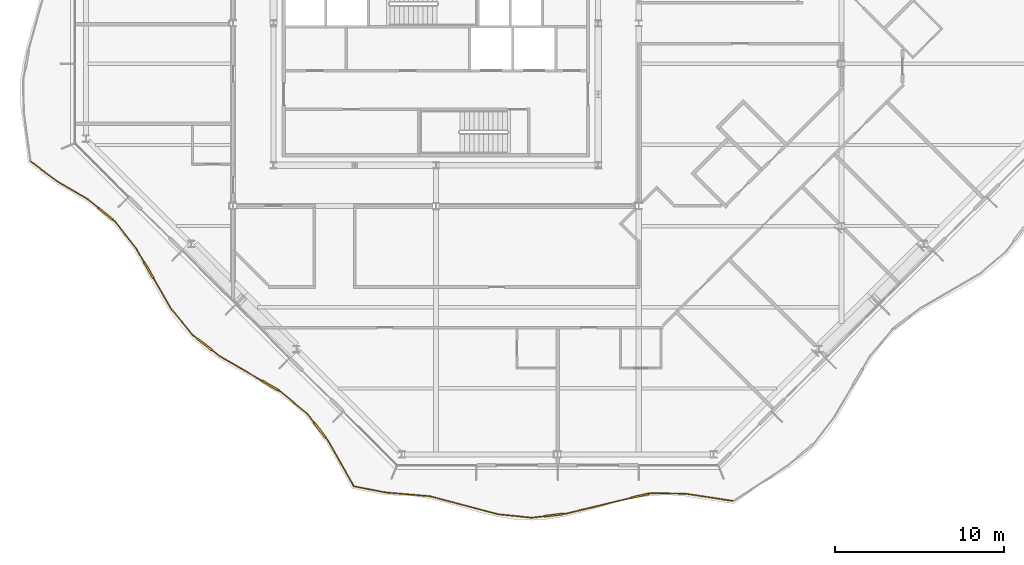
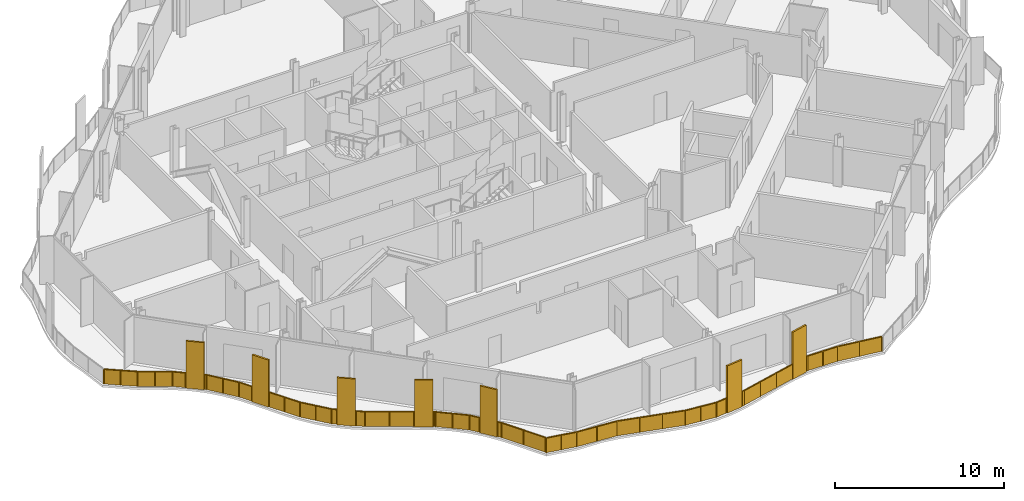
# One storey, part 13 of 17: 2 railings.
"""IFC4 building model written with IfcOpenShell, lengths in metres."""

from ifc_helpers import new_model, si_unit, direction, frame, origin, origin_2d, place, context, subcontext, project, spatial, polyline, rectangle, outline, extrude, material, type_object, element, save


model = new_model("IFC4")

# Units and contexts
model_context = context("Model", 3, precision=1e-05, world=origin(), true_north=direction((0.0, 1.0)))
body_context = subcontext(model_context, "Body", "Model", "MODEL_VIEW")
ifc_project = project(units=[si_unit("LENGTHUNIT", "METRE"), si_unit("AREAUNIT", "SQUARE_METRE"), si_unit("VOLUMEUNIT", "CUBIC_METRE"), si_unit("PLANEANGLEUNIT", "RADIAN"), si_unit("MASSUNIT", "GRAM", prefix="KILO")], contexts=[model_context])

# Site, building, storey
site_placement = place(None, origin())
site = spatial("IfcSite", under=ifc_project, at=site_placement, CompositionType="ELEMENT")
building_placement = place(site_placement, origin())
building = spatial("IfcBuilding", under=site, at=building_placement, Name="Cairn Pilgrim Tower", CompositionType="ELEMENT")
storey_placement = place(building_placement, frame((0.0, 0.0, 243.0)))
storey = spatial("IfcBuildingStorey", under=building, at=storey_placement, Name="L62", CompositionType="ELEMENT", Elevation=243.0)

# Railings
ifc_material = material(Name="Bronze anodised aluminium rail, posts and fin screens with laminated glass infill", Category="aluminium")
railing_type = type_object("IfcRailingType", Name="BALCONY GUARD WITH FIN SCREENS", PredefinedType="GUARDRAIL", material=ifc_material)
railing_1_placement = place(storey_placement, frame((-16.78076171875, -5.761962890625, 0.0)))
element("IfcRailing", 1, at=railing_1_placement, inside=storey, type_object=railing_type, Name="Balcony guard BGF-7 with fin screens", PredefinedType="GUARDRAIL", context=body_context, shape_type="SweptSolid", body=[
    extrude(rectangle(XDim=0.050048828125, YDim=0.050048828125, at=origin_2d()), frame((0.0, 0.0, 1.0751953125), z_axis=(0.799134447809, -0.6011523387, 0.0), x_axis=(0.6011523387, 0.799134447809, 0.0)), (0.0, 0.0, 1.0), 1.9990234375),
    extrude(rectangle(XDim=0.050048828125, YDim=0.050048828125, at=origin_2d()), frame((1.597412109375, -1.20166015625, 1.0751953125), z_axis=(0.863242556181, -0.504789351312, 0.0), x_axis=(0.504789351312, 0.863242556181, 0.0)), (0.0, 0.0, 1.0), 2.08203125),
    extrude(rectangle(XDim=1.10009765625, YDim=0.110107421875, at=origin_2d()), frame((4.440673828125, -3.106201171875, 0.0), z_axis=(0.0, 0.0, 1.0), x_axis=(0.774731445525, -0.632290429561, 0.0)), (0.0, 0.0, 1.0), 3.39990234375),
    extrude(rectangle(XDim=0.050048828125, YDim=0.050048828125, at=origin_2d()), frame((3.394775390625, -2.252685546875, 1.0751953125), z_axis=(0.774731445525, -0.632290429561, 0.0), x_axis=(0.632290429561, 0.774731445525, 0.0)), (0.0, 0.0, 1.0), 0.800048828125),
    extrude(rectangle(XDim=0.050048828125, YDim=0.050048828125, at=origin_2d()), frame((4.86669921875, -3.4541015625, 1.0751953125), z_axis=(0.774731445525, -0.632290429561, 0.0), x_axis=(0.632290429561, 0.774731445525, 0.0)), (0.0, 0.0, 1.0), 0.14990234375),
    extrude(rectangle(XDim=0.050048828125, YDim=0.050048828125, at=origin_2d()), frame((4.98291015625, -3.548828125, 1.0751953125), z_axis=(0.618336173495, -0.785913720803, 0.0), x_axis=(0.785913720803, 0.618336173495, 0.0)), (0.0, 0.0, 1.0), 2.052734375),
    extrude(rectangle(XDim=1.10009765625, YDim=0.110107421875, at=origin_2d()), frame((6.995849609375, -6.440673828125, 0.0), z_axis=(0.0, 0.0, 1.0), x_axis=(0.502699013379, -0.864461509813, 0.0)), (0.0, 0.0, 1.0), 3.39990234375),
    extrude(rectangle(XDim=0.050048828125, YDim=0.050048828125, at=origin_2d()), frame((6.252197265625, -5.162109375, 1.0751953125), z_axis=(0.502699013379, -0.864461509813, 0.0), x_axis=(0.864461509813, 0.502699013379, 0.0)), (0.0, 0.0, 1.0), 0.92919921875),
    extrude(rectangle(XDim=0.050048828125, YDim=0.050048828125, at=origin_2d()), frame((7.272216796875, -6.916259765625, 1.0751953125), z_axis=(0.502699013379, -0.864461509813, 0.0), x_axis=(0.864461509813, 0.502699013379, 0.0)), (0.0, 0.0, 1.0), 2.130126953125),
    extrude(rectangle(XDim=0.050048828125, YDim=0.050048828125, at=origin_2d()), frame((8.343017578125, -8.757568359375, 1.0751953125), z_axis=(0.635943490988, -0.771735625891, 0.0), x_axis=(0.771735625891, 0.635943490988, 0.0)), (0.0, 0.0, 1.0), 1.9921875),
    extrude(rectangle(XDim=1.10009765625, YDim=0.110107421875, at=origin_2d()), frame((10.305908203125, -10.83740234375, 0.0), z_axis=(0.0, 0.0, 1.0), x_axis=(0.788760323, -0.614700864536, 0.0)), (0.0, 0.0, 1.0), 3.39990234375),
    extrude(rectangle(XDim=0.050048828125, YDim=0.050048828125, at=origin_2d()), frame((9.60986328125, -10.294921875, 1.0751953125), z_axis=(0.788760323, -0.614700864536, 0.0), x_axis=(0.614700864536, 0.788760323, 0.0)), (0.0, 0.0, 1.0), 0.332275390625),
    extrude(rectangle(XDim=0.050048828125, YDim=0.050048828125, at=origin_2d()), frame((10.73974609375, -11.17529296875, 1.0751953125), z_axis=(0.788760323, -0.614700864536, 0.0), x_axis=(0.614700864536, 0.788760323, 0.0)), (0.0, 0.0, 1.0), 0.56787109375),
    extrude(rectangle(XDim=1.10009765625, YDim=0.110107421875, at=origin_2d()), frame((14.180908203125, -13.26611328125, 0.0), z_axis=(0.0, 0.0, 1.0), x_axis=(0.864333506502, -0.502919068577, 0.0)), (0.0, 0.0, 1.0), 3.39990234375),
    extrude(rectangle(XDim=0.050048828125, YDim=0.050048828125, at=origin_2d()), frame((11.1875, -11.5244140625, 1.0751953125), z_axis=(0.864333506502, -0.502919068577, 0.0), x_axis=(0.502919068577, 0.864333506502, 0.0)), (0.0, 0.0, 1.0), 2.9130859375),
    extrude(rectangle(XDim=0.050048828125, YDim=0.050048828125, at=origin_2d()), frame((14.65625, -13.542724609375, 1.0751953125), z_axis=(0.864333506502, -0.502919068577, 0.0), x_axis=(0.502919068577, 0.864333506502, 0.0)), (0.0, 0.0, 1.0), 0.14990234375),
    extrude(rectangle(XDim=0.050048828125, YDim=0.050048828125, at=origin_2d()), frame((14.785888671875, -13.6181640625, 1.0751953125), z_axis=(0.768738716006, -0.639562965246, 0.0), x_axis=(0.639562965246, 0.768738716006, 0.0)), (0.0, 0.0, 1.0), 2.048828125),
    extrude(rectangle(XDim=1.10009765625, YDim=0.110107421875, at=origin_2d()), frame((17.10693359375, -15.89501953125, 0.0), z_axis=(0.0, 0.0, 1.0), x_axis=(0.61109919183, -0.791554027054, 0.0)), (0.0, 0.0, 1.0), 3.39990234375),
    extrude(rectangle(XDim=0.050048828125, YDim=0.050048828125, at=origin_2d()), frame((16.36083984375, -14.928466796875, 1.0751953125), z_axis=(0.61109919183, -0.791554027054, 0.0), x_axis=(0.791554027054, 0.61109919183, 0.0)), (0.0, 0.0, 1.0), 0.6708984375),
    extrude(rectangle(XDim=0.050048828125, YDim=0.050048828125, at=origin_2d()), frame((17.443115234375, -16.330322265625, 1.0751953125), z_axis=(0.61109919183, -0.791554027054, 0.0), x_axis=(0.791554027054, 0.61109919183, 0.0)), (0.0, 0.0, 1.0), 0.2841796875),
    extrude(rectangle(XDim=0.050048828125, YDim=0.050048828125, at=origin_2d()), frame((17.61669921875, -16.55517578125, 1.0751953125), z_axis=(0.493744728642, -0.869606889887, 0.0), x_axis=(0.869606889887, 0.493744728642, 0.0)), (0.0, 0.0, 1.0), 3.01123046875),
    extrude(rectangle(XDim=0.050048828125, YDim=0.050048828125, at=origin_2d()), origin(), (0.0, 0.0, 1.0), 1.050048828125),
    extrude(rectangle(XDim=0.050048828125, YDim=0.050048828125, at=origin_2d()), frame((0.798828125, -0.600830078125, 0.0)), (0.0, 0.0, 1.0), 1.050048828125),
    extrude(rectangle(XDim=0.050048828125, YDim=0.050048828125, at=origin_2d()), frame((1.597412109375, -1.20166015625, 0.0)), (0.0, 0.0, 1.0), 1.050048828125),
    extrude(rectangle(XDim=0.050048828125, YDim=0.050048828125, at=origin_2d()), frame((2.49609375, -1.72705078125, 0.0)), (0.0, 0.0, 1.0), 1.050048828125),
    extrude(rectangle(XDim=0.050048828125, YDim=0.050048828125, at=origin_2d()), frame((3.394775390625, -2.252685546875, 0.0)), (0.0, 0.0, 1.0), 1.050048828125),
    extrude(rectangle(XDim=0.050048828125, YDim=0.050048828125, at=origin_2d()), frame((3.9951171875, -2.74267578125, 0.0)), (0.0, 0.0, 1.0), 1.050048828125),
    extrude(rectangle(XDim=0.050048828125, YDim=0.050048828125, at=origin_2d()), frame((4.88623046875, -3.469970703125, 0.0)), (0.0, 0.0, 1.0), 1.050048828125),
    extrude(rectangle(XDim=0.050048828125, YDim=0.050048828125, at=origin_2d()), frame((4.98291015625, -3.548828125, 0.0)), (0.0, 0.0, 1.0), 1.050048828125),
    extrude(rectangle(XDim=0.050048828125, YDim=0.050048828125, at=origin_2d()), frame((5.61767578125, -4.35546875, 0.0)), (0.0, 0.0, 1.0), 1.050048828125),
    extrude(rectangle(XDim=0.050048828125, YDim=0.050048828125, at=origin_2d()), frame((6.252197265625, -5.162109375, 0.0)), (0.0, 0.0, 1.0), 1.050048828125),
    extrude(rectangle(XDim=0.050048828125, YDim=0.050048828125, at=origin_2d()), frame((6.706787109375, -5.943603515625, 0.0)), (0.0, 0.0, 1.0), 1.050048828125),
    extrude(rectangle(XDim=0.050048828125, YDim=0.050048828125, at=origin_2d()), frame((7.284912109375, -6.937744140625, 0.0)), (0.0, 0.0, 1.0), 1.050048828125),
    extrude(rectangle(XDim=0.050048828125, YDim=0.050048828125, at=origin_2d()), frame((7.81396484375, -7.84765625, 0.0)), (0.0, 0.0, 1.0), 1.050048828125),
    extrude(rectangle(XDim=0.050048828125, YDim=0.050048828125, at=origin_2d()), frame((8.343017578125, -8.757568359375, 0.0)), (0.0, 0.0, 1.0), 1.050048828125),
    extrude(rectangle(XDim=0.050048828125, YDim=0.050048828125, at=origin_2d()), frame((8.9765625, -9.5263671875, 0.0)), (0.0, 0.0, 1.0), 1.050048828125),
    extrude(rectangle(XDim=0.050048828125, YDim=0.050048828125, at=origin_2d()), frame((9.60986328125, -10.294921875, 0.0)), (0.0, 0.0, 1.0), 1.050048828125),
    extrude(rectangle(XDim=0.050048828125, YDim=0.050048828125, at=origin_2d()), frame((9.852294921875, -10.48388671875, 0.0)), (0.0, 0.0, 1.0), 1.050048828125),
    extrude(rectangle(XDim=0.050048828125, YDim=0.050048828125, at=origin_2d()), frame((10.75927734375, -11.190673828125, 0.0)), (0.0, 0.0, 1.0), 1.050048828125),
    extrude(rectangle(XDim=0.050048828125, YDim=0.050048828125, at=origin_2d()), frame((11.1875, -11.5244140625, 0.0)), (0.0, 0.0, 1.0), 1.050048828125),
    extrude(rectangle(XDim=0.050048828125, YDim=0.050048828125, at=origin_2d()), frame((12.435791015625, -12.250732421875, 0.0)), (0.0, 0.0, 1.0), 1.050048828125),
    extrude(rectangle(XDim=0.050048828125, YDim=0.050048828125, at=origin_2d()), frame((13.683837890625, -12.97705078125, 0.0)), (0.0, 0.0, 1.0), 1.050048828125),
    extrude(rectangle(XDim=0.050048828125, YDim=0.050048828125, at=origin_2d()), frame((14.677978515625, -13.555419921875, 0.0)), (0.0, 0.0, 1.0), 1.050048828125),
    extrude(rectangle(XDim=0.050048828125, YDim=0.050048828125, at=origin_2d()), frame((14.785888671875, -13.6181640625, 0.0)), (0.0, 0.0, 1.0), 1.050048828125),
    extrude(rectangle(XDim=0.050048828125, YDim=0.050048828125, at=origin_2d()), frame((15.5732421875, -14.2734375, 0.0)), (0.0, 0.0, 1.0), 1.050048828125),
    extrude(rectangle(XDim=0.050048828125, YDim=0.050048828125, at=origin_2d()), frame((16.36083984375, -14.928466796875, 0.0)), (0.0, 0.0, 1.0), 1.050048828125),
    extrude(rectangle(XDim=0.050048828125, YDim=0.050048828125, at=origin_2d()), frame((16.755615234375, -15.439697265625, 0.0)), (0.0, 0.0, 1.0), 1.050048828125),
    extrude(rectangle(XDim=0.050048828125, YDim=0.050048828125, at=origin_2d()), frame((17.458251953125, -16.35009765625, 0.0)), (0.0, 0.0, 1.0), 1.050048828125),
    extrude(rectangle(XDim=0.050048828125, YDim=0.050048828125, at=origin_2d()), frame((17.61669921875, -16.55517578125, 0.0)), (0.0, 0.0, 1.0), 1.050048828125),
    extrude(rectangle(XDim=0.050048828125, YDim=0.050048828125, at=origin_2d()), frame((18.360107421875, -17.864501953125, 0.0)), (0.0, 0.0, 1.0), 1.050048828125),
    extrude(rectangle(XDim=0.050048828125, YDim=0.050048828125, at=origin_2d()), frame((19.103515625, -19.173828125, 0.0)), (0.0, 0.0, 1.0), 1.050048828125),
    extrude(outline(polyline([(0.02490234375, 0.0), (0.974365234375, 0.0), (0.974365234375, 1.050048828125), (0.02490234375, 1.050048828125), (0.02490234375, 0.0)])), frame((0.003662109375, 0.0048828125, 0.0), z_axis=(-0.6011523387, -0.799134447809, 0.0), x_axis=(0.799134447809, -0.6011523387, 0.0)), (0.0, 0.0, 1.0), 0.011962890625),
    extrude(outline(polyline([(0.02490234375, 0.0), (0.974365234375, 0.0), (0.974365234375, 1.050048828125), (0.02490234375, 1.050048828125), (0.02490234375, 0.0)])), frame((0.80224609375, -0.595947265625, 0.0), z_axis=(-0.6011523387, -0.799134447809, 0.0), x_axis=(0.799134447809, -0.6011523387, 0.0)), (0.0, 0.0, 1.0), 0.011962890625),
    extrude(outline(polyline([(0.02490234375, 0.0), (1.01611328125, 0.0), (1.01611328125, 1.050048828125), (0.02490234375, 1.050048828125), (0.02490234375, 0.0)])), frame((1.600341796875, -1.196533203125, 0.0), z_axis=(-0.504789351312, -0.863242556181, 0.0), x_axis=(0.863242556181, -0.504789351312, 0.0)), (0.0, 0.0, 1.0), 0.011962890625),
    extrude(outline(polyline([(0.02490234375, 0.0), (1.01611328125, 0.0), (1.01611328125, 1.050048828125), (0.02490234375, 1.050048828125), (0.02490234375, 0.0)])), frame((2.4990234375, -1.721923828125, 0.0), z_axis=(-0.504789351312, -0.863242556181, 0.0), x_axis=(0.863242556181, -0.504789351312, 0.0)), (0.0, 0.0, 1.0), 0.011962890625),
    extrude(outline(polyline([(0.02490234375, 0.0), (0.75, 0.0), (0.75, 1.050048828125), (0.02490234375, 1.050048828125), (0.02490234375, 0.0)])), frame((3.3984375, -2.248046875, 0.0), z_axis=(-0.632290429561, -0.774731445525, 0.0), x_axis=(0.774731445525, -0.632290429561, 0.0)), (0.0, 0.0, 1.0), 0.011962890625),
    extrude(outline(polyline([(0.02490234375, 0.0), (0.099853515625, 0.0), (0.099853515625, 1.050048828125), (0.02490234375, 1.050048828125), (0.02490234375, 0.0)])), frame((4.889892578125, -3.46533203125, 0.0), z_axis=(-0.632290429561, -0.774731445525, 0.0), x_axis=(0.774731445525, -0.632290429561, 0.0)), (0.0, 0.0, 1.0), 0.011962890625),
    extrude(outline(polyline([(0.02490234375, 0.0), (1.00146484375, 0.0), (1.00146484375, 1.050048828125), (0.02490234375, 1.050048828125), (0.02490234375, 0.0)])), frame((4.987548828125, -3.545166015625, 0.0), z_axis=(-0.785913720803, -0.618336173495, 0.0), x_axis=(0.618336173495, -0.785913720803, 0.0)), (0.0, 0.0, 1.0), 0.011962890625),
    extrude(outline(polyline([(0.02490234375, 0.0), (1.00146484375, 0.0), (1.00146484375, 1.050048828125), (0.02490234375, 1.050048828125), (0.02490234375, 0.0)])), frame((5.622314453125, -4.351806640625, 0.0), z_axis=(-0.785913720803, -0.618336173495, 0.0), x_axis=(0.618336173495, -0.785913720803, 0.0)), (0.0, 0.0, 1.0), 0.011962890625),
    extrude(outline(polyline([(0.02490234375, 0.0), (0.879150390625, 0.0), (0.879150390625, 1.050048828125), (0.02490234375, 1.050048828125), (0.02490234375, 0.0)])), frame((6.25732421875, -5.1591796875, 0.0), z_axis=(-0.864461509813, -0.502699013379, 0.0), x_axis=(0.502699013379, -0.864461509813, 0.0)), (0.0, 0.0, 1.0), 0.011962890625),
    extrude(outline(polyline([(0.02490234375, 0.0), (1.027587890625, 0.0), (1.027587890625, 1.050048828125), (0.02490234375, 1.050048828125), (0.02490234375, 0.0)])), frame((7.2900390625, -6.934814453125, 0.0), z_axis=(-0.864461509813, -0.502699013379, 0.0), x_axis=(0.502699013379, -0.864461509813, 0.0)), (0.0, 0.0, 1.0), 0.011962890625),
    extrude(outline(polyline([(0.02490234375, 0.0), (1.027587890625, 0.0), (1.027587890625, 1.050048828125), (0.02490234375, 1.050048828125), (0.02490234375, 0.0)])), frame((7.819091796875, -7.8447265625, 0.0), z_axis=(-0.864461509813, -0.502699013379, 0.0), x_axis=(0.502699013379, -0.864461509813, 0.0)), (0.0, 0.0, 1.0), 0.011962890625),
    extrude(outline(polyline([(0.02490234375, 0.0), (0.970947265625, 0.0), (0.970947265625, 1.050048828125), (0.02490234375, 1.050048828125), (0.02490234375, 0.0)])), frame((8.34765625, -8.753662109375, 0.0), z_axis=(-0.771735625891, -0.635943490988, 0.0), x_axis=(0.635943490988, -0.771735625891, 0.0)), (0.0, 0.0, 1.0), 0.011962890625),
    extrude(outline(polyline([(0.02490234375, 0.0), (0.970947265625, 0.0), (0.970947265625, 1.050048828125), (0.02490234375, 1.050048828125), (0.02490234375, 0.0)])), frame((8.98095703125, -9.5224609375, 0.0), z_axis=(-0.771735625891, -0.635943490988, 0.0), x_axis=(0.635943490988, -0.771735625891, 0.0)), (0.0, 0.0, 1.0), 0.011962890625),
    extrude(outline(polyline([(0.02490234375, 0.0), (0.2822265625, 0.0), (0.2822265625, 1.050048828125), (0.02490234375, 1.050048828125), (0.02490234375, 0.0)])), frame((9.613525390625, -10.290283203125, 0.0), z_axis=(-0.614700864536, -0.788760323, 0.0), x_axis=(0.788760323, -0.614700864536, 0.0)), (0.0, 0.0, 1.0), 0.011962890625),
    extrude(outline(polyline([(0.02490234375, 0.0), (0.517822265625, 0.0), (0.517822265625, 1.050048828125), (0.02490234375, 1.050048828125), (0.02490234375, 0.0)])), frame((10.762939453125, -11.18603515625, 0.0), z_axis=(-0.614700864536, -0.788760323, 0.0), x_axis=(0.788760323, -0.614700864536, 0.0)), (0.0, 0.0, 1.0), 0.011962890625),
    extrude(outline(polyline([(0.02490234375, 0.0), (1.4189453125, 0.0), (1.4189453125, 1.050048828125), (0.02490234375, 1.050048828125), (0.02490234375, 0.0)])), frame((11.1904296875, -11.519287109375, 0.0), z_axis=(-0.502919068577, -0.864333506502, 0.0), x_axis=(0.864333506502, -0.502919068577, 0.0)), (0.0, 0.0, 1.0), 0.011962890625),
    extrude(outline(polyline([(0.02490234375, 0.0), (1.4189453125, 0.0), (1.4189453125, 1.050048828125), (0.02490234375, 1.050048828125), (0.02490234375, 0.0)])), frame((12.438720703125, -12.24560546875, 0.0), z_axis=(-0.502919068577, -0.864333506502, 0.0), x_axis=(0.864333506502, -0.502919068577, 0.0)), (0.0, 0.0, 1.0), 0.011962890625),
    extrude(outline(polyline([(0.02490234375, 0.0), (0.099853515625, 0.0), (0.099853515625, 1.050048828125), (0.02490234375, 1.050048828125), (0.02490234375, 0.0)])), frame((14.680908203125, -13.550048828125, 0.0), z_axis=(-0.502919068577, -0.864333506502, 0.0), x_axis=(0.864333506502, -0.502919068577, 0.0)), (0.0, 0.0, 1.0), 0.011962890625),
    extrude(outline(polyline([(0.02490234375, 0.0), (0.999267578125, 0.0), (0.999267578125, 1.050048828125), (0.02490234375, 1.050048828125), (0.02490234375, 0.0)])), frame((14.789794921875, -13.613525390625, 0.0), z_axis=(-0.639562965246, -0.768738716006, 0.0), x_axis=(0.768738716006, -0.639562965246, 0.0)), (0.0, 0.0, 1.0), 0.011962890625),
    extrude(outline(polyline([(0.02490234375, 0.0), (0.999267578125, 0.0), (0.999267578125, 1.050048828125), (0.02490234375, 1.050048828125), (0.02490234375, 0.0)])), frame((15.5771484375, -14.268798828125, 0.0), z_axis=(-0.639562965246, -0.768738716006, 0.0), x_axis=(0.768738716006, -0.639562965246, 0.0)), (0.0, 0.0, 1.0), 0.011962890625),
    extrude(outline(polyline([(0.02490234375, 0.0), (0.620849609375, 0.0), (0.620849609375, 1.050048828125), (0.02490234375, 1.050048828125), (0.02490234375, 0.0)])), frame((16.365478515625, -14.9248046875, 0.0), z_axis=(-0.791554027054, -0.61109919183, 0.0), x_axis=(0.61109919183, -0.791554027054, 0.0)), (0.0, 0.0, 1.0), 0.011962890625),
    extrude(outline(polyline([(0.02490234375, 0.0), (0.234130859375, 0.0), (0.234130859375, 1.050048828125), (0.02490234375, 1.050048828125), (0.02490234375, 0.0)])), frame((17.463134765625, -16.346435546875, 0.0), z_axis=(-0.791554027054, -0.61109919183, 0.0), x_axis=(0.61109919183, -0.791554027054, 0.0)), (0.0, 0.0, 1.0), 0.011962890625),
    extrude(outline(polyline([(0.02490234375, 0.0), (1.480712890625, 0.0), (1.480712890625, 1.050048828125), (0.02490234375, 1.050048828125), (0.02490234375, 0.0)])), frame((17.621826171875, -16.55224609375, 0.0), z_axis=(-0.869606889887, -0.493744728642, 0.0), x_axis=(0.493744728642, -0.869606889887, 0.0)), (0.0, 0.0, 1.0), 0.011962890625),
    extrude(outline(polyline([(0.02490234375, 0.0), (1.480712890625, 0.0), (1.480712890625, 1.050048828125), (0.02490234375, 1.050048828125), (0.02490234375, 0.0)])), frame((18.365234375, -17.861572265625, 0.0), z_axis=(-0.869606889887, -0.493744728642, 0.0), x_axis=(0.493744728642, -0.869606889887, 0.0)), (0.0, 0.0, 1.0), 0.011962890625),
])
railing_2_placement = place(storey_placement, frame((2.3525390625, -24.98779296875, 0.0)))
element("IfcRailing", 2, at=railing_2_placement, inside=storey, type_object=railing_type, Name="Balcony guard BGF-8 with fin screens", PredefinedType="GUARDRAIL", context=body_context, shape_type="SweptSolid", body=[
    extrude(rectangle(XDim=0.050048828125, YDim=0.050048828125, at=origin_2d()), frame((0.0, 0.0, 1.0751953125), z_axis=(0.981174719631, -0.193122162264, 0.0), x_axis=(0.193122162264, 0.981174719631, 0.0)), (0.0, 0.0, 1.0), 1.88232421875),
    extrude(rectangle(XDim=0.050048828125, YDim=0.050048828125, at=origin_2d()), frame((1.846923828125, -0.363525390625, 1.0751953125), z_axis=(0.996427518522, -0.084452355393, 0.0), x_axis=(0.084452355393, 0.996427518522, 0.0)), (0.0, 0.0, 1.0), 2.65673828125),
    extrude(rectangle(XDim=0.050048828125, YDim=0.050048828125, at=origin_2d()), frame((4.494140625, -0.587890625, 1.0751953125), z_axis=(0.966749381414, -0.255725699793, 0.0), x_axis=(0.255725699793, 0.966749381414, 0.0)), (0.0, 0.0, 1.0), 4.1826171875),
    extrude(rectangle(XDim=0.050048828125, YDim=0.050048828125, at=origin_2d()), frame((8.53759765625, -1.657470703125, 1.0751953125), z_axis=(0.99483238393, -0.10153092083, 0.0), x_axis=(0.10153092083, 0.99483238393, 0.0)), (0.0, 0.0, 1.0), 2.0029296875),
    extrude(rectangle(XDim=1.10009765625, YDim=0.110107421875, at=origin_2d()), frame((11.831298828125, -1.705322265625, 0.0), z_axis=(0.0, 0.0, 1.0), x_axis=(0.992934196082, 0.118666264168, 0.0)), (0.0, 0.0, 1.0), 3.39990234375),
    extrude(rectangle(XDim=0.050048828125, YDim=0.050048828125, at=origin_2d()), frame((10.5302734375, -1.86083984375, 1.0751953125), z_axis=(0.992934196082, 0.118666264168, 0.0), x_axis=(-0.118666264168, 0.992934196082, 0.0)), (0.0, 0.0, 1.0), 0.76025390625),
    extrude(rectangle(XDim=0.050048828125, YDim=0.050048828125, at=origin_2d()), frame((12.377197265625, -1.64013671875, 1.0751953125), z_axis=(0.992934196082, 0.118666264168, 0.0), x_axis=(-0.118666264168, 0.992934196082, 0.0)), (0.0, 0.0, 1.0), 0.14990234375),
    extrude(rectangle(XDim=1.10009765625, YDim=0.110107421875, at=origin_2d()), frame((16.908447265625, -0.56640625, 0.0), z_axis=(0.0, 0.0, 1.0), x_axis=(0.972183518992, 0.234220420547, 0.0)), (0.0, 0.0, 1.0), 3.39990234375),
    extrude(rectangle(XDim=0.050048828125, YDim=0.050048828125, at=origin_2d()), frame((12.526123046875, -1.622314453125, 1.0751953125), z_axis=(0.972183518992, 0.234220420547, 0.0), x_axis=(-0.234220420547, 0.972183518992, 0.0)), (0.0, 0.0, 1.0), 3.957763671875),
    extrude(rectangle(XDim=0.050048828125, YDim=0.050048828125, at=origin_2d()), frame((17.443115234375, -0.437744140625, 1.0751953125), z_axis=(0.972183518992, 0.234220420547, 0.0), x_axis=(-0.234220420547, 0.972183518992, 0.0)), (0.0, 0.0, 1.0), 0.14990234375),
    extrude(rectangle(XDim=0.050048828125, YDim=0.050048828125, at=origin_2d()), frame((17.5888671875, -0.402587890625, 1.0751953125), z_axis=(0.999820860079, -0.018927433832, 0.0), x_axis=(0.018927433832, 0.999820860079, 0.0)), (0.0, 0.0, 1.0), 2.051025390625),
    extrude(rectangle(XDim=0.050048828125, YDim=0.050048828125, at=origin_2d()), frame((19.639404296875, -0.44140625, 1.0751953125), z_axis=(0.988389945301, -0.151938527138, 0.0), x_axis=(0.151938527138, 0.988389945301, 0.0)), (0.0, 0.0, 1.0), 2.782958984375),
    extrude(rectangle(XDim=0.050048828125, YDim=0.050048828125, at=origin_2d()), origin(), (0.0, 0.0, 1.0), 1.050048828125),
    extrude(rectangle(XDim=0.050048828125, YDim=0.050048828125, at=origin_2d()), frame((0.92333984375, -0.181640625, 0.0)), (0.0, 0.0, 1.0), 1.050048828125),
    extrude(rectangle(XDim=0.050048828125, YDim=0.050048828125, at=origin_2d()), frame((1.846923828125, -0.363525390625, 0.0)), (0.0, 0.0, 1.0), 1.050048828125),
    extrude(rectangle(XDim=0.050048828125, YDim=0.050048828125, at=origin_2d()), frame((3.17041015625, -0.4755859375, 0.0)), (0.0, 0.0, 1.0), 1.050048828125),
    extrude(rectangle(XDim=0.050048828125, YDim=0.050048828125, at=origin_2d()), frame((4.494140625, -0.587890625, 0.0)), (0.0, 0.0, 1.0), 1.050048828125),
    extrude(rectangle(XDim=0.050048828125, YDim=0.050048828125, at=origin_2d()), frame((5.842041015625, -0.9443359375, 0.0)), (0.0, 0.0, 1.0), 1.050048828125),
    extrude(rectangle(XDim=0.050048828125, YDim=0.050048828125, at=origin_2d()), frame((7.189697265625, -1.301025390625, 0.0)), (0.0, 0.0, 1.0), 1.050048828125),
    extrude(rectangle(XDim=0.050048828125, YDim=0.050048828125, at=origin_2d()), frame((8.53759765625, -1.657470703125, 0.0)), (0.0, 0.0, 1.0), 1.050048828125),
    extrude(rectangle(XDim=0.050048828125, YDim=0.050048828125, at=origin_2d()), frame((9.533935546875, -1.75927734375, 0.0)), (0.0, 0.0, 1.0), 1.050048828125),
    extrude(rectangle(XDim=0.050048828125, YDim=0.050048828125, at=origin_2d()), frame((10.5302734375, -1.86083984375, 0.0)), (0.0, 0.0, 1.0), 1.050048828125),
    extrude(rectangle(XDim=0.050048828125, YDim=0.050048828125, at=origin_2d()), frame((11.26025390625, -1.773681640625, 0.0)), (0.0, 0.0, 1.0), 1.050048828125),
    extrude(rectangle(XDim=0.050048828125, YDim=0.050048828125, at=origin_2d()), frame((12.402099609375, -1.63720703125, 0.0)), (0.0, 0.0, 1.0), 1.050048828125),
    extrude(rectangle(XDim=0.050048828125, YDim=0.050048828125, at=origin_2d()), frame((12.526123046875, -1.622314453125, 0.0)), (0.0, 0.0, 1.0), 1.050048828125),
    extrude(rectangle(XDim=0.050048828125, YDim=0.050048828125, at=origin_2d()), frame((13.800537109375, -1.315185546875, 0.0)), (0.0, 0.0, 1.0), 1.050048828125),
    extrude(rectangle(XDim=0.050048828125, YDim=0.050048828125, at=origin_2d()), frame((15.074951171875, -1.00830078125, 0.0)), (0.0, 0.0, 1.0), 1.050048828125),
    extrude(rectangle(XDim=0.050048828125, YDim=0.050048828125, at=origin_2d()), frame((16.349365234375, -0.701171875, 0.0)), (0.0, 0.0, 1.0), 1.050048828125),
    extrude(rectangle(XDim=0.050048828125, YDim=0.050048828125, at=origin_2d()), frame((17.467529296875, -0.431884765625, 0.0)), (0.0, 0.0, 1.0), 1.050048828125),
    extrude(rectangle(XDim=0.050048828125, YDim=0.050048828125, at=origin_2d()), frame((17.5888671875, -0.402587890625, 0.0)), (0.0, 0.0, 1.0), 1.050048828125),
    extrude(rectangle(XDim=0.050048828125, YDim=0.050048828125, at=origin_2d()), frame((18.6142578125, -0.421875, 0.0)), (0.0, 0.0, 1.0), 1.050048828125),
    extrude(rectangle(XDim=0.050048828125, YDim=0.050048828125, at=origin_2d()), frame((19.639404296875, -0.44140625, 0.0)), (0.0, 0.0, 1.0), 1.050048828125),
    extrude(rectangle(XDim=0.050048828125, YDim=0.050048828125, at=origin_2d()), frame((21.0146484375, -0.65283203125, 0.0)), (0.0, 0.0, 1.0), 1.050048828125),
    extrude(rectangle(XDim=0.050048828125, YDim=0.050048828125, at=origin_2d()), frame((22.39013671875, -0.8642578125, 0.0)), (0.0, 0.0, 1.0), 1.050048828125),
    extrude(outline(polyline([(0.02490234375, 0.0), (0.916259765625, 0.0), (0.916259765625, 1.050048828125), (0.02490234375, 1.050048828125), (0.02490234375, 0.0)])), frame((0.001220703125, 0.005859375, 0.0), z_axis=(-0.193122162264, -0.981174719631, 0.0), x_axis=(0.981174719631, -0.193122162264, 0.0)), (0.0, 0.0, 1.0), 0.011962890625),
    extrude(outline(polyline([(0.02490234375, 0.0), (0.916259765625, 0.0), (0.916259765625, 1.050048828125), (0.02490234375, 1.050048828125), (0.02490234375, 0.0)])), frame((0.924560546875, -0.17578125, 0.0), z_axis=(-0.193122162264, -0.981174719631, 0.0), x_axis=(0.981174719631, -0.193122162264, 0.0)), (0.0, 0.0, 1.0), 0.011962890625),
    extrude(outline(polyline([(0.02490234375, 0.0), (1.30322265625, 0.0), (1.30322265625, 1.050048828125), (0.02490234375, 1.050048828125), (0.02490234375, 0.0)])), frame((1.847412109375, -0.357666015625, 0.0), z_axis=(-0.084452355393, -0.996427518522, 0.0), x_axis=(0.996427518522, -0.084452355393, 0.0)), (0.0, 0.0, 1.0), 0.011962890625),
    extrude(outline(polyline([(0.02490234375, 0.0), (1.30322265625, 0.0), (1.30322265625, 1.050048828125), (0.02490234375, 1.050048828125), (0.02490234375, 0.0)])), frame((3.171142578125, -0.4697265625, 0.0), z_axis=(-0.084452355393, -0.996427518522, 0.0), x_axis=(0.996427518522, -0.084452355393, 0.0)), (0.0, 0.0, 1.0), 0.011962890625),
    extrude(outline(polyline([(0.02490234375, 0.0), (1.369140625, 0.0), (1.369140625, 1.050048828125), (0.02490234375, 1.050048828125), (0.02490234375, 0.0)])), frame((4.49560546875, -0.58203125, 0.0), z_axis=(-0.255725699793, -0.966749381414, 0.0), x_axis=(0.966749381414, -0.255725699793, 0.0)), (0.0, 0.0, 1.0), 0.011962890625),
    extrude(outline(polyline([(0.02490234375, 0.0), (1.369140625, 0.0), (1.369140625, 1.050048828125), (0.02490234375, 1.050048828125), (0.02490234375, 0.0)])), frame((5.843505859375, -0.938720703125, 0.0), z_axis=(-0.255725699793, -0.966749381414, 0.0), x_axis=(0.966749381414, -0.255725699793, 0.0)), (0.0, 0.0, 1.0), 0.011962890625),
    extrude(outline(polyline([(0.02490234375, 0.0), (1.369140625, 0.0), (1.369140625, 1.050048828125), (0.02490234375, 1.050048828125), (0.02490234375, 0.0)])), frame((7.19140625, -1.295166015625, 0.0), z_axis=(-0.255725699793, -0.966749381414, 0.0), x_axis=(0.966749381414, -0.255725699793, 0.0)), (0.0, 0.0, 1.0), 0.011962890625),
    extrude(outline(polyline([(0.02490234375, 0.0), (0.9765625, 0.0), (0.9765625, 1.050048828125), (0.02490234375, 1.050048828125), (0.02490234375, 0.0)])), frame((8.5380859375, -1.651611328125, 0.0), z_axis=(-0.10153092083, -0.99483238393, 0.0), x_axis=(0.99483238393, -0.10153092083, 0.0)), (0.0, 0.0, 1.0), 0.011962890625),
    extrude(outline(polyline([(0.02490234375, 0.0), (0.9765625, 0.0), (0.9765625, 1.050048828125), (0.02490234375, 1.050048828125), (0.02490234375, 0.0)])), frame((9.534423828125, -1.753173828125, 0.0), z_axis=(-0.10153092083, -0.99483238393, 0.0), x_axis=(0.99483238393, -0.10153092083, 0.0)), (0.0, 0.0, 1.0), 0.011962890625),
    extrude(outline(polyline([(0.02490234375, 0.0), (0.710205078125, 0.0), (0.710205078125, 1.050048828125), (0.02490234375, 1.050048828125), (0.02490234375, 0.0)])), frame((10.529541015625, -1.85498046875, 0.0), z_axis=(0.118666264168, -0.992934196082, 0.0), x_axis=(0.992934196082, 0.118666264168, 0.0)), (0.0, 0.0, 1.0), 0.011962890625),
    extrude(outline(polyline([(0.02490234375, 0.0), (0.099853515625, 0.0), (0.099853515625, 1.050048828125), (0.02490234375, 1.050048828125), (0.02490234375, 0.0)])), frame((12.4013671875, -1.631103515625, 0.0), z_axis=(0.118666264168, -0.992934196082, 0.0), x_axis=(0.992934196082, 0.118666264168, 0.0)), (0.0, 0.0, 1.0), 0.011962890625),
    extrude(outline(polyline([(0.02490234375, 0.0), (1.285888671875, 0.0), (1.285888671875, 1.050048828125), (0.02490234375, 1.050048828125), (0.02490234375, 0.0)])), frame((12.524658203125, -1.616455078125, 0.0), z_axis=(0.234220420547, -0.972183518992, 0.0), x_axis=(0.972183518992, 0.234220420547, 0.0)), (0.0, 0.0, 1.0), 0.011962890625),
    extrude(outline(polyline([(0.02490234375, 0.0), (1.285888671875, 0.0), (1.285888671875, 1.050048828125), (0.02490234375, 1.050048828125), (0.02490234375, 0.0)])), frame((13.799072265625, -1.3095703125, 0.0), z_axis=(0.234220420547, -0.972183518992, 0.0), x_axis=(0.972183518992, 0.234220420547, 0.0)), (0.0, 0.0, 1.0), 0.011962890625),
    extrude(outline(polyline([(0.02490234375, 0.0), (1.285888671875, 0.0), (1.285888671875, 1.050048828125), (0.02490234375, 1.050048828125), (0.02490234375, 0.0)])), frame((15.073486328125, -1.00244140625, 0.0), z_axis=(0.234220420547, -0.972183518992, 0.0), x_axis=(0.972183518992, 0.234220420547, 0.0)), (0.0, 0.0, 1.0), 0.011962890625),
    extrude(outline(polyline([(0.02490234375, 0.0), (0.099853515625, 0.0), (0.099853515625, 1.050048828125), (0.02490234375, 1.050048828125), (0.02490234375, 0.0)])), frame((17.466064453125, -0.426025390625, 0.0), z_axis=(0.234220420547, -0.972183518992, 0.0), x_axis=(0.972183518992, 0.234220420547, 0.0)), (0.0, 0.0, 1.0), 0.011962890625),
    extrude(outline(polyline([(0.02490234375, 0.0), (1.00048828125, 0.0), (1.00048828125, 1.050048828125), (0.02490234375, 1.050048828125), (0.02490234375, 0.0)])), frame((17.5888671875, -0.396728515625, 0.0), z_axis=(-0.018927433832, -0.999820860079, 0.0), x_axis=(0.999820860079, -0.018927433832, 0.0)), (0.0, 0.0, 1.0), 0.011962890625),
    extrude(outline(polyline([(0.02490234375, 0.0), (1.00048828125, 0.0), (1.00048828125, 1.050048828125), (0.02490234375, 1.050048828125), (0.02490234375, 0.0)])), frame((18.6142578125, -0.416015625, 0.0), z_axis=(-0.018927433832, -0.999820860079, 0.0), x_axis=(0.999820860079, -0.018927433832, 0.0)), (0.0, 0.0, 1.0), 0.011962890625),
    extrude(outline(polyline([(0.02490234375, 0.0), (1.366455078125, 0.0), (1.366455078125, 1.050048828125), (0.02490234375, 1.050048828125), (0.02490234375, 0.0)])), frame((19.640380859375, -0.435546875, 0.0), z_axis=(-0.151938527138, -0.988389945301, 0.0), x_axis=(0.988389945301, -0.151938527138, 0.0)), (0.0, 0.0, 1.0), 0.011962890625),
    extrude(outline(polyline([(0.02490234375, 0.0), (1.366455078125, 0.0), (1.366455078125, 1.050048828125), (0.02490234375, 1.050048828125), (0.02490234375, 0.0)])), frame((21.015625, -0.64697265625, 0.0), z_axis=(-0.151938527138, -0.988389945301, 0.0), x_axis=(0.988389945301, -0.151938527138, 0.0)), (0.0, 0.0, 1.0), 0.011962890625),
])

save(model, "model.ifc")
